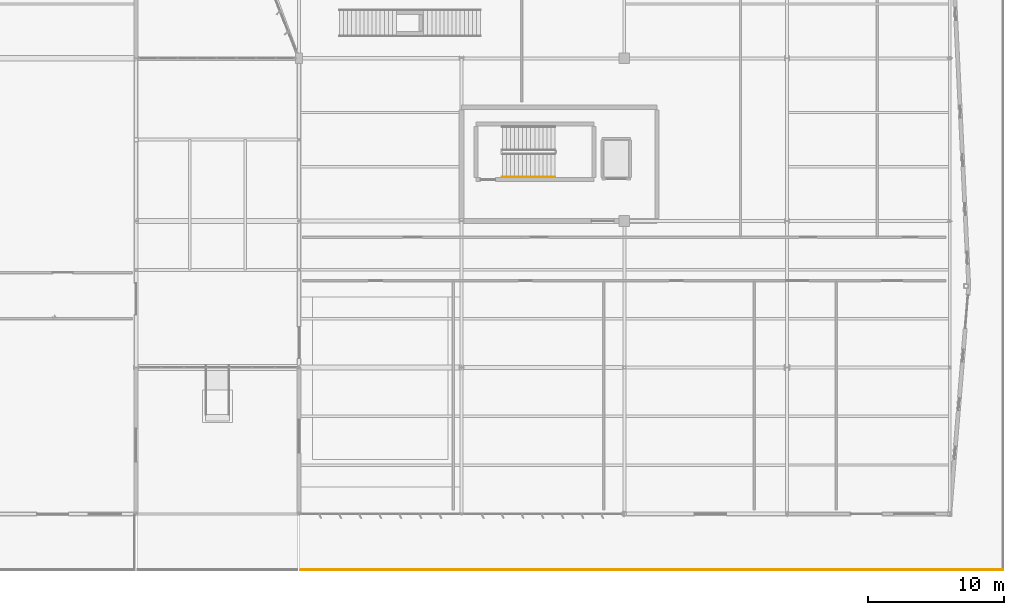
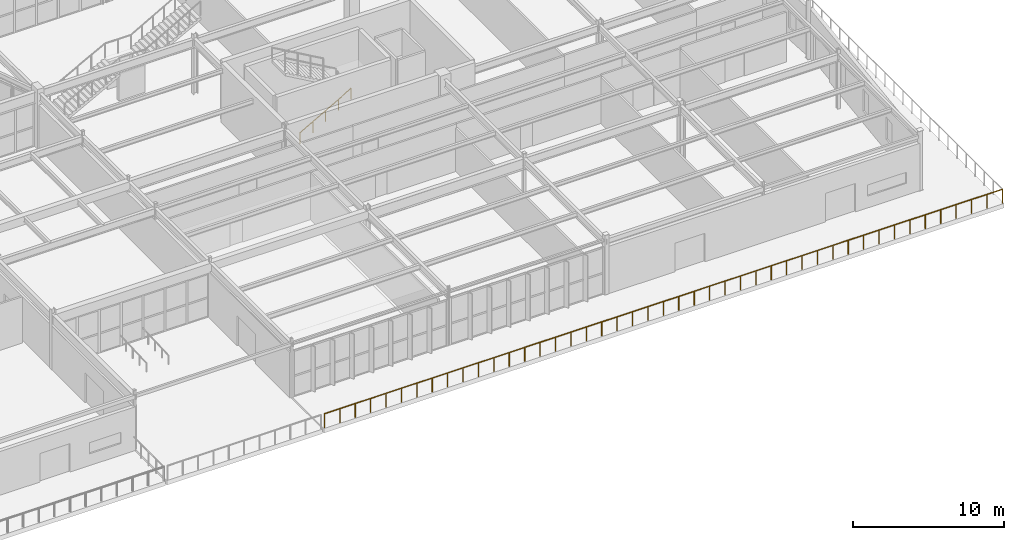
# One storey, part 188 of 199: 2 railings.
"""IFC4 building model written with IfcOpenShell, lengths in metres."""

from ifc_helpers import new_model, si_unit, direction, frame, origin, origin_2d, place, context, subcontext, project, spatial, circle, extrude, material, type_object, element, save


model = new_model("IFC4")

# Units and contexts
model_context = context("Model", 3, precision=1e-05, world=origin(), true_north=direction((0.0, 1.0)))
body_context = subcontext(model_context, "Body", "Model", "MODEL_VIEW")
ifc_project = project(units=[si_unit("LENGTHUNIT", "METRE"), si_unit("AREAUNIT", "SQUARE_METRE"), si_unit("VOLUMEUNIT", "CUBIC_METRE"), si_unit("PLANEANGLEUNIT", "RADIAN"), si_unit("MASSUNIT", "GRAM", prefix="KILO")], contexts=[model_context])

# Site, building, storey
site_placement = place(None, origin())
site = spatial("IfcSite", under=ifc_project, at=site_placement, CompositionType="ELEMENT")
building_placement = place(site_placement, origin())
building = spatial("IfcBuilding", under=site, at=building_placement, Name="Tarnwether General Hospital", CompositionType="ELEMENT")
storey_placement = place(building_placement, origin())
storey = spatial("IfcBuildingStorey", under=building, at=storey_placement, Name="L00", CompositionType="ELEMENT", Elevation=0.0)

# Railings
ifc_material_1 = material(Name="Anodised aluminium", Category="aluminium")
railing_type_1 = type_object("IfcRailingType", Name="RL-GRD-EXT", PredefinedType="GUARDRAIL", material=ifc_material_1)
railing_1_placement = place(storey_placement, frame((195.919921875, -4.1201171875, 0.0)))
element("IfcRailing", 1, at=railing_1_placement, inside=storey, type_object=railing_type_1, Name="L00 Upper Scarp Arrival Plaza and Street Terrace SL-L00-PLAZA Guard 0002", PredefinedType="GUARDRAIL", context=body_context, shape_type="SweptSolid", body=[
    extrude(circle(Radius=0.02392578125, at=origin_2d()), frame((0.0, 0.0, 1.1259765625), z_axis=(-1.0, 0.0, 0.0), x_axis=(0.0, -1.0, 0.0)), (0.0, 0.0, 1.0), 51.7900390625),
    extrude(circle(Radius=0.02099609375, at=origin_2d()), origin(), (0.0, 0.0, 1.0), 1.101806640625),
    extrude(circle(Radius=0.02099609375, at=origin_2d()), frame((-1.177001953125, 0.0, 0.0)), (0.0, 0.0, 1.0), 1.101806640625),
    extrude(circle(Radius=0.02099609375, at=origin_2d()), frame((-2.35400390625, 0.0, 0.0)), (0.0, 0.0, 1.0), 1.101806640625),
    extrude(circle(Radius=0.02099609375, at=origin_2d()), frame((-3.53125, 0.0, 0.0)), (0.0, 0.0, 1.0), 1.101806640625),
    extrude(circle(Radius=0.02099609375, at=origin_2d()), frame((-4.708251953125, 0.0, 0.0)), (0.0, 0.0, 1.0), 1.101806640625),
    extrude(circle(Radius=0.02099609375, at=origin_2d()), frame((-5.88525390625, 0.0, 0.0)), (0.0, 0.0, 1.0), 1.101806640625),
    extrude(circle(Radius=0.02099609375, at=origin_2d()), frame((-7.062255859375, 0.0, 0.0)), (0.0, 0.0, 1.0), 1.101806640625),
    extrude(circle(Radius=0.02099609375, at=origin_2d()), frame((-8.2392578125, 0.0, 0.0)), (0.0, 0.0, 1.0), 1.101806640625),
    extrude(circle(Radius=0.02099609375, at=origin_2d()), frame((-9.416259765625, 0.0, 0.0)), (0.0, 0.0, 1.0), 1.101806640625),
    extrude(circle(Radius=0.02099609375, at=origin_2d()), frame((-10.593505859375, 0.0, 0.0)), (0.0, 0.0, 1.0), 1.101806640625),
    extrude(circle(Radius=0.02099609375, at=origin_2d()), frame((-11.7705078125, 0.0, 0.0)), (0.0, 0.0, 1.0), 1.101806640625),
    extrude(circle(Radius=0.02099609375, at=origin_2d()), frame((-12.947509765625, 0.0, 0.0)), (0.0, 0.0, 1.0), 1.101806640625),
    extrude(circle(Radius=0.02099609375, at=origin_2d()), frame((-14.12451171875, 0.0, 0.0)), (0.0, 0.0, 1.0), 1.101806640625),
    extrude(circle(Radius=0.02099609375, at=origin_2d()), frame((-15.301513671875, 0.0, 0.0)), (0.0, 0.0, 1.0), 1.101806640625),
    extrude(circle(Radius=0.02099609375, at=origin_2d()), frame((-16.478759765625, 0.0, 0.0)), (0.0, 0.0, 1.0), 1.101806640625),
    extrude(circle(Radius=0.02099609375, at=origin_2d()), frame((-17.65576171875, 0.0, 0.0)), (0.0, 0.0, 1.0), 1.101806640625),
    extrude(circle(Radius=0.02099609375, at=origin_2d()), frame((-18.832763671875, 0.0, 0.0)), (0.0, 0.0, 1.0), 1.101806640625),
    extrude(circle(Radius=0.02099609375, at=origin_2d()), frame((-20.009765625, 0.0, 0.0)), (0.0, 0.0, 1.0), 1.101806640625),
    extrude(circle(Radius=0.02099609375, at=origin_2d()), frame((-21.186767578125, 0.0, 0.0)), (0.0, 0.0, 1.0), 1.101806640625),
    extrude(circle(Radius=0.02099609375, at=origin_2d()), frame((-22.36376953125, 0.0, 0.0)), (0.0, 0.0, 1.0), 1.101806640625),
    extrude(circle(Radius=0.02099609375, at=origin_2d()), frame((-23.541015625, 0.0, 0.0)), (0.0, 0.0, 1.0), 1.101806640625),
    extrude(circle(Radius=0.02099609375, at=origin_2d()), frame((-24.718017578125, 0.0, 0.0)), (0.0, 0.0, 1.0), 1.101806640625),
    extrude(circle(Radius=0.02099609375, at=origin_2d()), frame((-25.89501953125, 0.0, 0.0)), (0.0, 0.0, 1.0), 1.101806640625),
    extrude(circle(Radius=0.02099609375, at=origin_2d()), frame((-27.072021484375, 0.0, 0.0)), (0.0, 0.0, 1.0), 1.101806640625),
    extrude(circle(Radius=0.02099609375, at=origin_2d()), frame((-28.2490234375, 0.0, 0.0)), (0.0, 0.0, 1.0), 1.101806640625),
    extrude(circle(Radius=0.02099609375, at=origin_2d()), frame((-29.42626953125, 0.0, 0.0)), (0.0, 0.0, 1.0), 1.101806640625),
    extrude(circle(Radius=0.02099609375, at=origin_2d()), frame((-30.603271484375, 0.0, 0.0)), (0.0, 0.0, 1.0), 1.101806640625),
    extrude(circle(Radius=0.02099609375, at=origin_2d()), frame((-31.7802734375, 0.0, 0.0)), (0.0, 0.0, 1.0), 1.101806640625),
    extrude(circle(Radius=0.02099609375, at=origin_2d()), frame((-32.957275390625, 0.0, 0.0)), (0.0, 0.0, 1.0), 1.101806640625),
    extrude(circle(Radius=0.02099609375, at=origin_2d()), frame((-34.13427734375, 0.0, 0.0)), (0.0, 0.0, 1.0), 1.101806640625),
    extrude(circle(Radius=0.02099609375, at=origin_2d()), frame((-35.311279296875, 0.0, 0.0)), (0.0, 0.0, 1.0), 1.101806640625),
    extrude(circle(Radius=0.02099609375, at=origin_2d()), frame((-36.488525390625, 0.0, 0.0)), (0.0, 0.0, 1.0), 1.101806640625),
    extrude(circle(Radius=0.02099609375, at=origin_2d()), frame((-37.66552734375, 0.0, 0.0)), (0.0, 0.0, 1.0), 1.101806640625),
    extrude(circle(Radius=0.02099609375, at=origin_2d()), frame((-38.842529296875, 0.0, 0.0)), (0.0, 0.0, 1.0), 1.101806640625),
    extrude(circle(Radius=0.02099609375, at=origin_2d()), frame((-40.01953125, 0.0, 0.0)), (0.0, 0.0, 1.0), 1.101806640625),
    extrude(circle(Radius=0.02099609375, at=origin_2d()), frame((-41.196533203125, 0.0, 0.0)), (0.0, 0.0, 1.0), 1.101806640625),
    extrude(circle(Radius=0.02099609375, at=origin_2d()), frame((-42.373779296875, 0.0, 0.0)), (0.0, 0.0, 1.0), 1.101806640625),
    extrude(circle(Radius=0.02099609375, at=origin_2d()), frame((-43.55078125, 0.0, 0.0)), (0.0, 0.0, 1.0), 1.101806640625),
    extrude(circle(Radius=0.02099609375, at=origin_2d()), frame((-44.727783203125, 0.0, 0.0)), (0.0, 0.0, 1.0), 1.101806640625),
    extrude(circle(Radius=0.02099609375, at=origin_2d()), frame((-45.90478515625, 0.0, 0.0)), (0.0, 0.0, 1.0), 1.101806640625),
    extrude(circle(Radius=0.02099609375, at=origin_2d()), frame((-47.081787109375, 0.0, 0.0)), (0.0, 0.0, 1.0), 1.101806640625),
    extrude(circle(Radius=0.02099609375, at=origin_2d()), frame((-48.2587890625, 0.0, 0.0)), (0.0, 0.0, 1.0), 1.101806640625),
    extrude(circle(Radius=0.02099609375, at=origin_2d()), frame((-49.43603515625, 0.0, 0.0)), (0.0, 0.0, 1.0), 1.101806640625),
    extrude(circle(Radius=0.02099609375, at=origin_2d()), frame((-50.613037109375, 0.0, 0.0)), (0.0, 0.0, 1.0), 1.101806640625),
    extrude(circle(Radius=0.02099609375, at=origin_2d()), frame((-51.7900390625, 0.0, 0.0)), (0.0, 0.0, 1.0), 1.101806640625),
])
ifc_material_2 = material(Name="Anodised aluminium", Category="aluminium")
railing_type_2 = type_object("IfcRailingType", Name="RL-HND-INT", PredefinedType="HANDRAIL", material=ifc_material_2)
railing_2_placement = place(storey_placement, frame((159.0, 24.85009765625, 0.17138671875)))
element("IfcRailing", 2, at=railing_2_placement, inside=storey, type_object=railing_type_2, Name="L00 ST-05 stair handrail 1", PredefinedType="HANDRAIL", context=body_context, shape_type="SweptSolid", body=[
    extrude(circle(Radius=0.02392578125, at=origin_2d()), frame((0.0, 0.0, 0.8759765625), z_axis=(0.868243142124, 0.0, 0.496138938357), x_axis=(0.0, 1.0, 0.0)), (0.0, 0.0, 1.0), 4.49169921875),
    extrude(circle(Radius=0.02099609375, at=origin_2d()), origin(), (0.0, 0.0, 1.0), 0.851806640625),
    extrude(circle(Radius=0.02099609375, at=origin_2d()), frame((0.97509765625, 0.0, 0.55712890625)), (0.0, 0.0, 1.0), 0.851806640625),
    extrude(circle(Radius=0.02099609375, at=origin_2d()), frame((1.949951171875, 0.0, 1.1142578125)), (0.0, 0.0, 1.0), 0.851806640625),
    extrude(circle(Radius=0.02099609375, at=origin_2d()), frame((2.9248046875, 0.0, 1.67138671875)), (0.0, 0.0, 1.0), 0.851806640625),
    extrude(circle(Radius=0.02099609375, at=origin_2d()), frame((3.89990234375, 0.0, 2.228515625)), (0.0, 0.0, 1.0), 0.851806640625),
])

save(model, "model.ifc")
